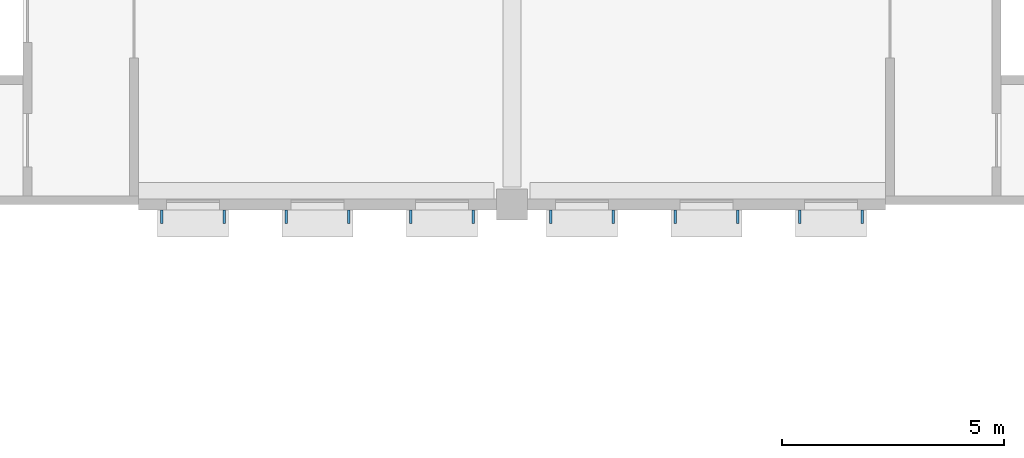
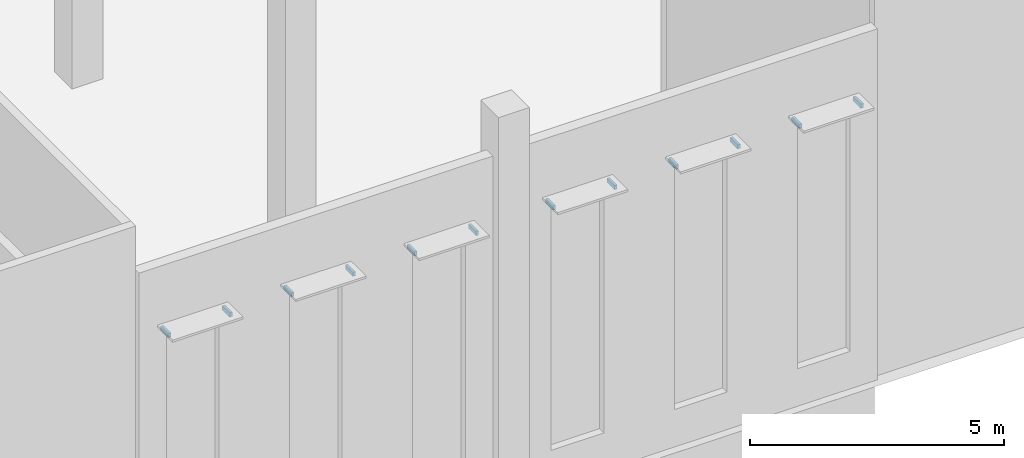
# One storey, part 66 of 114: 12 discrete accessories.
"""IFC4 building model written with IfcOpenShell, lengths in metres."""

import ifcopenshell
import ifcopenshell.guid

model = None  # the IFC model being written
_history = None  # IfcOwnerHistory: only IFC2X3 demands one
_inside = {}  # id of a spatial element -> (the spatial element, [elements in it])
_under = {}  # id of a project, library or spatial element -> (it, [spatial elements below it])
_declared = {}  # id of a project -> (the project, [libraries it declares])
_typed = {}  # id of a type object -> (the type object, [elements of that type])
_made_of = {}  # id of a material, layer set ... -> (it, [elements and type objects made of it])


def new_model(schema):
    """Start an empty IFC model of exactly this schema.

    Asked for "IFC4X3", IfcOpenShell would pick the latest addendum, in which some entities
    have other attributes; the version numbers below select the first issue.
    IFC2X3 requires an IfcOwnerHistory on every rooted entity: one is made here for all.
    """
    global model, _history
    if schema == "IFC4X3":
        model = ifcopenshell.file(schema_version=(4, 3, 0, 0))
    else:
        model = ifcopenshell.file(schema=schema)
    _inside.clear()
    _under.clear()
    _declared.clear()
    _typed.clear()
    _made_of.clear()
    _history = None
    if model.schema == "IFC2X3":
        org = make("IfcOrganization", Name="unknown")
        user = make(
            "IfcPersonAndOrganization",
            ThePerson=make("IfcPerson", FamilyName="unknown"),
            TheOrganization=org,
        )
        app = make(
            "IfcApplication",
            ApplicationDeveloper=org,
            Version="unknown",
            ApplicationFullName="unknown",
            ApplicationIdentifier="unknown",
        )
        _history = make(
            "IfcOwnerHistory",
            OwningUser=user,
            OwningApplication=app,
            ChangeAction="ADDED",
            CreationDate=0,
        )
    return model


def make(cls, **values):
    """One entity of the class cls with the attributes given. An attribute that is None is left unset."""
    return model.create_entity(
        cls, **{name: value for name, value in values.items() if value is not None}
    )


def rooted(cls, **values):
    """An entity with a GlobalId (a new one), such as an element, a storey or a relation."""
    return make(cls, GlobalId=ifcopenshell.guid.new(), OwnerHistory=_history, **values)


def si_unit(unit_type, name, prefix=None):
    """IfcSIUnit, for example si_unit("LENGTHUNIT", "METRE", prefix="MILLI")."""
    return make("IfcSIUnit", UnitType=unit_type, Prefix=prefix, Name=name)


def assignment(units):
    """IfcUnitAssignment: the units of a project."""
    return None if units is None else make("IfcUnitAssignment", Units=units)


def point(xyz):
    """IfcCartesianPoint."""
    return None if xyz is None else make("IfcCartesianPoint", Coordinates=xyz)


def direction(xyz):
    """IfcDirection."""
    return None if xyz is None else make("IfcDirection", DirectionRatios=xyz)


def frame(location, z_axis=None, x_axis=None):
    """IfcAxis2Placement3D, a coordinate frame: its origin and axes. An axis left out is left unset."""
    return make(
        "IfcAxis2Placement3D",
        Location=point(location),
        Axis=direction(z_axis),
        RefDirection=direction(x_axis),
    )


def frame_2d(location, x_axis=None):
    """IfcAxis2Placement2D, a coordinate frame in the plane: its origin and x axis."""
    return make(
        "IfcAxis2Placement2D", Location=point(location), RefDirection=direction(x_axis)
    )


def origin():
    """The frame at (0, 0, 0) with its axes left unset."""
    return frame((0.0, 0.0, 0.0))


def origin_2d():
    """The frame at (0, 0) in the plane with its x axis left unset."""
    return frame_2d((0.0, 0.0))


def place(relative_to, where):
    """IfcLocalPlacement: puts the frame where relative to a parent placement (None: the world)."""
    return make(
        "IfcLocalPlacement", PlacementRelTo=relative_to, RelativePlacement=where
    )


def context(
    kind, dimensions, precision=None, world=None, true_north=None, identifier=None
):
    """IfcGeometricRepresentationContext, for example the 3D "Model" context."""
    return make(
        "IfcGeometricRepresentationContext",
        ContextIdentifier=identifier,
        ContextType=kind,
        CoordinateSpaceDimension=dimensions,
        Precision=precision,
        WorldCoordinateSystem=world,
        TrueNorth=true_north,
    )


def subcontext(parent, identifier, kind, view, scale=None):
    """IfcGeometricRepresentationSubContext, for example "Body" below "Model"."""
    return make(
        "IfcGeometricRepresentationSubContext",
        ContextIdentifier=identifier,
        ContextType=kind,
        ParentContext=parent,
        TargetScale=scale,
        TargetView=view,
    )


def project(units=None, contexts=None):
    """IfcProject with its units and contexts."""
    return rooted(
        "IfcProject",
        Name="project",
        RepresentationContexts=contexts,
        UnitsInContext=assignment(units),
    )


def spatial(cls, under=None, at=None, **own):
    """A site, building, storey or space (cls), placed at a placement, below another one or the project."""
    s = rooted(cls, ObjectPlacement=at, **own)
    if under is not None:
        _under.setdefault(under.id(), (under, []))[1].append(s)
    return s


def profile(cls, at=None, kind="AREA", **sizes):
    """A parametric profile (cls). Its sizes go by their IFC names, for example OverallWidth=200.0."""
    return make(cls, ProfileType=kind, Position=at, **sizes)


def rectangle(**sizes):
    """IfcRectangleProfileDef."""
    return profile("IfcRectangleProfileDef", **sizes)


def extrude(swept, where, along, depth):
    """IfcExtrudedAreaSolid: the profile swept, set in the frame where, extruded along a direction by depth."""
    return make(
        "IfcExtrudedAreaSolid",
        SweptArea=swept,
        Position=where,
        ExtrudedDirection=direction(along),
        Depth=depth,
    )


def shape(context_of_items, identifier, shape_type, items):
    """IfcShapeRepresentation: the items that make up one representation, for example the "Body"."""
    return make(
        "IfcShapeRepresentation",
        ContextOfItems=context_of_items,
        RepresentationIdentifier=identifier,
        RepresentationType=shape_type,
        Items=items,
    )


def material(Name=None, Category=None):
    """IfcMaterial."""
    return make("IfcMaterial", Name=Name, Category=Category)


def made_of(thing, what):
    """Note that an element or type object is made of a material, layer set ...; save() writes the relation."""
    if what is not None:
        _made_of.setdefault(what.id(), (what, []))[1].append(thing)
    return thing


def type_object(cls, material=None, **own):
    """A type object (cls), such as IfcWallType, which elements share."""
    return made_of(rooted(cls, **own), material)


def element(
    cls,
    number,
    at=None,
    inside=None,
    cuts=None,
    type_object=None,
    material=None,
    context=None,
    identifier="Body",
    shape_type=None,
    held_by="IfcProductDefinitionShape",
    body=None,
    shapes=None,
    **own,
):
    """One element of the class cls, such as IfcWall. Its Tag is "e" and its number.

    at: its placement. inside: the storey or other place that contains it. cuts: it is an
    opening in that element (IfcRelVoidsElement). A single representation is given by context,
    identifier, shape_type and body (its items); several are given by shapes. held_by: the class
    of the entity that holds the representations. save() writes the other relations.
    """
    e = rooted(cls, Tag="e%d" % number, ObjectPlacement=at, **own)
    if body is not None:
        shapes = [shape(context, identifier, shape_type, body)]
    if shapes is not None:
        e.Representation = make(held_by, Representations=shapes)
    if inside is not None:
        _inside.setdefault(inside.id(), (inside, []))[1].append(e)
    if cuts is not None:
        rooted(
            "IfcRelVoidsElement", RelatingBuildingElement=cuts, RelatedOpeningElement=e
        )
    if type_object is not None:
        _typed.setdefault(type_object.id(), (type_object, []))[1].append(e)
    return made_of(e, material)


def aggregate(whole, parts):
    """IfcRelAggregates: a whole, such as a stair, and the parts it consists of."""
    return rooted("IfcRelAggregates", RelatingObject=whole, RelatedObjects=parts)


def save(model, path):
    """Write the relations noted so far, then the file.

    IfcRelAggregates (storeys below a building ...), IfcRelContainedInSpatialStructure (elements
    in a storey), IfcRelDefinesByType, IfcRelAssociatesMaterial and IfcRelDeclares: one each for
    every whole, place, type object, material and project.
    """
    for whole, parts in _under.values():
        aggregate(whole, parts)
    for where, things in _inside.values():
        rooted(
            "IfcRelContainedInSpatialStructure",
            RelatedElements=things,
            RelatingStructure=where,
        )
    for kind, things in _typed.values():
        rooted("IfcRelDefinesByType", RelatedObjects=things, RelatingType=kind)
    for what, things in _made_of.values():
        rooted("IfcRelAssociatesMaterial", RelatedObjects=things, RelatingMaterial=what)
    for by, libraries in _declared.values():
        rooted("IfcRelDeclares", RelatingContext=by, RelatedDefinitions=libraries)
    model.write(path)


model = new_model("IFC4")

# Units and contexts
model_context = context("Model", 3, precision=1e-05, world=origin(), true_north=direction((0.0, 1.0)))
body_context = subcontext(model_context, "Body", "Model", "MODEL_VIEW")
ifc_project = project(units=[si_unit("LENGTHUNIT", "METRE"), si_unit("AREAUNIT", "SQUARE_METRE"), si_unit("VOLUMEUNIT", "CUBIC_METRE"), si_unit("PLANEANGLEUNIT", "RADIAN"), si_unit("MASSUNIT", "GRAM", prefix="KILO")], contexts=[model_context])

# Site, building, storey
site_placement = place(None, origin())
site = spatial("IfcSite", under=ifc_project, at=site_placement, CompositionType="ELEMENT")
building_placement = place(site_placement, origin())
building = spatial("IfcBuilding", under=site, at=building_placement, Name="Almond Square Museum", CompositionType="ELEMENT")
storey_placement = place(building_placement, frame((0.0, 0.0, 10.5)))
storey = spatial("IfcBuildingStorey", under=building, at=storey_placement, Name="L02", CompositionType="ELEMENT", Elevation=10.5)

# Discrete accessories
ifc_material = material(Name="Stainless steel", Category="steel")
discrete_accessory_type = type_object("IfcDiscreteAccessoryType", Name="Sun-shade blade bracket", PredefinedType="BRACKET", material=ifc_material)
for number, where, z_axis, x_axis, name in (
    (1, (48.52490234375, 83.72705078125, 6.89697265625), (0.0, 0.0, 1.0), (1.0, 0.0, 0.0), "Bracket sun-shade blade"),
    (2, (49.925048828125, 83.72705078125, 6.89697265625), (0.0, 0.0, 1.0), (1.0, 0.0, 0.0), "Bracket sun-shade blade"),
    (3, (51.324951171875, 83.72705078125, 6.89697265625), (0.0, 0.0, 1.0), (1.0, 0.0, 0.0), "Bracket sun-shade blade"),
    (4, (52.72509765625, 83.72705078125, 6.89697265625), (0.0, 0.0, 1.0), (1.0, 0.0, 0.0), "Bracket sun-shade blade"),
    (5, (54.125, 83.72705078125, 6.89697265625), (0.0, 0.0, 1.0), (1.0, 0.0, 0.0), "Bracket sun-shade blade"),
    (6, (55.52490234375, 83.72705078125, 6.89697265625), (0.0, 0.0, 1.0), (1.0, 0.0, 0.0), "Bracket sun-shade blade"),
    (7, (57.27490234375, 83.72705078125, 6.89697265625), (0.0, 0.0, 1.0), (1.0, 0.0, 0.0), "Bracket sun-shade blade"),
    (8, (58.675048828125, 83.72705078125, 6.89697265625), (0.0, 0.0, 1.0), (1.0, 0.0, 0.0), "Bracket sun-shade blade"),
    (9, (60.074951171875, 83.72705078125, 6.89697265625), (0.0, 0.0, 1.0), (1.0, 0.0, 0.0), "Bracket sun-shade blade"),
    (10, (61.47509765625, 83.72705078125, 6.89697265625), (0.0, 0.0, 1.0), (1.0, 0.0, 0.0), "Bracket sun-shade blade"),
    (11, (62.875, 83.72705078125, 6.89697265625), (0.0, 0.0, 1.0), (1.0, 0.0, 0.0), "Bracket sun-shade blade"),
    (12, (64.27490234375, 83.72705078125, 6.89697265625), (0.0, 0.0, 1.0), (1.0, 0.0, 0.0), "Bracket sun-shade blade"),
):
    element("IfcDiscreteAccessory", number, at=place(storey_placement, frame(where, z_axis=z_axis, x_axis=x_axis)), inside=storey, type_object=discrete_accessory_type, Name=name, PredefinedType="BRACKET", context=body_context, shape_type="SweptSolid", body=[
        extrude(rectangle(XDim=0.06005859375, YDim=0.300048828125, at=origin_2d()), origin(), (0.0, 0.0, 1.0), 0.10009765625),
    ])

save(model, "model.ifc")
